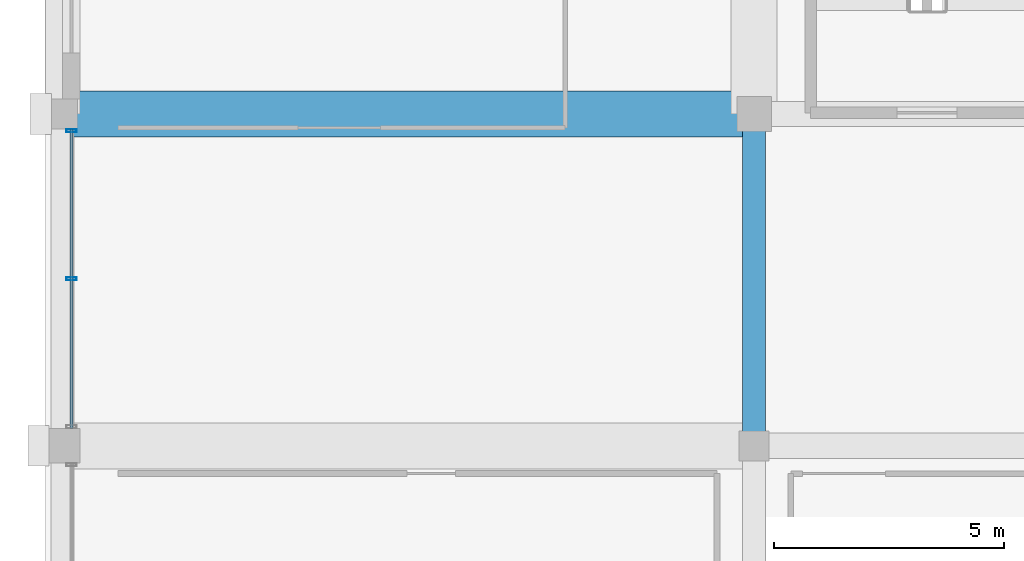
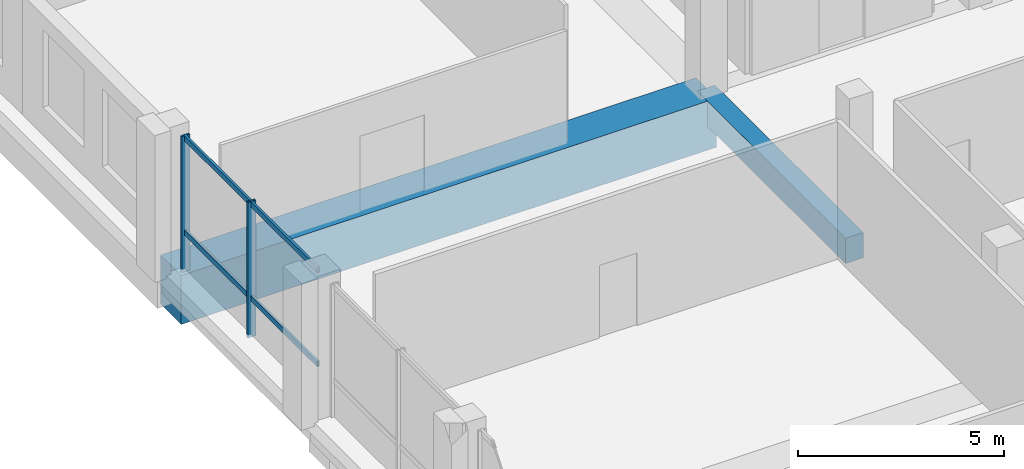
# One storey, part 26 of 64: 4 members, 2 beams, 1 element without a shape of its own.
"""IFC4 building model written with IfcOpenShell, lengths in metres."""

from ifc_helpers import new_model, si_unit, direction, frame, origin, origin_2d, place, context, subcontext, project, spatial, rectangle, hollow_rectangle, extrude, material, material_profile, profile_set, type_object, element, aggregate, save


model = new_model("IFC4")

# Units and contexts
model_context = context("Model", 3, precision=1e-05, world=origin(), true_north=direction((0.0, 1.0)))
body_context = subcontext(model_context, "Body", "Model", "MODEL_VIEW")
ifc_project = project(units=[si_unit("LENGTHUNIT", "METRE"), si_unit("AREAUNIT", "SQUARE_METRE"), si_unit("VOLUMEUNIT", "CUBIC_METRE"), si_unit("PLANEANGLEUNIT", "RADIAN"), si_unit("MASSUNIT", "GRAM", prefix="KILO")], contexts=[model_context])

# Site, building, storey
site_placement = place(None, origin())
site = spatial("IfcSite", under=ifc_project, at=site_placement, CompositionType="ELEMENT")
building_placement = place(site_placement, origin())
building = spatial("IfcBuilding", under=site, at=building_placement, Name="Akrevak Sports Hall", CompositionType="ELEMENT")
storey_placement = place(building_placement, frame((0.0, 0.0, 4.60009765625)))
storey = spatial("IfcBuildingStorey", under=building, at=storey_placement, Name="L01", CompositionType="ELEMENT", Elevation=4.60009765625)

# Curtain wall, members
ifc_material_1 = material(Name="Anodized Bronze Aluminium & Low-E Glass", Category="aluminium")
curtain_wall_type = type_object("IfcCurtainWallType", Name="ARC-CW-POD-64x44", PredefinedType="NOTDEFINED", material=ifc_material_1)
curtain_wall_placement = place(storey_placement, origin())
curtain_wall = element("IfcCurtainWall", 1, at=curtain_wall_placement, inside=storey, type_object=curtain_wall_type, Name="Curtain Wall CW-L01-W08", PredefinedType="NOTDEFINED")
ifc_material_2 = material(Name="Anodized Bronze Aluminium", Category="aluminium")
ifc_material_profile_1 = material_profile(ifc_material_2, hollow_rectangle(XDim=0.06494140625, YDim=0.219970703125, WallThickness=0.00439453125, at=origin_2d()), Name="CWM 65x220", Category="aluminium")
ifc_profile_set_1 = profile_set([ifc_material_profile_1], Name="Anodized Bronze Aluminium")
member_type_1 = type_object("IfcMemberType", Name="ARC-CWM-70x160", PredefinedType="MULLION", material=ifc_profile_set_1)
member_1_placement = place(storey_placement, frame((0.18994140625, 69.235107421875, 0.0), z_axis=(0.0, 0.0, 1.0), x_axis=(0.0, -1.0, 0.0)))
member_1 = element("IfcMember", 2, at=member_1_placement, type_object=member_type_1, Name="Curtain Wall Mullion CW-L01-W08-M1", PredefinedType="MULLION", context=body_context, shape_type="SweptSolid", body=[
    extrude(hollow_rectangle(XDim=0.06494140625, YDim=0.219970703125, WallThickness=0.00439453125, at=origin_2d()), origin(), (0.0, 0.0, 1.0), 4.02001953125),
])
member_2_placement = place(storey_placement, frame((0.18994140625, 66.02490234375, 0.0), z_axis=(0.0, 0.0, 1.0), x_axis=(0.0, -1.0, 0.0)))
member_2 = element("IfcMember", 3, at=member_2_placement, type_object=member_type_1, Name="Curtain Wall Mullion CW-L01-W08-M2", PredefinedType="MULLION", context=body_context, shape_type="SweptSolid", body=[
    extrude(hollow_rectangle(XDim=0.06494140625, YDim=0.219970703125, WallThickness=0.00439453125, at=origin_2d()), origin(), (0.0, 0.0, 1.0), 4.02001953125),
])
ifc_material_profile_2 = material_profile(ifc_material_2, hollow_rectangle(XDim=0.06494140625, YDim=0.159912109375, WallThickness=0.00390625, at=origin_2d()), Name="CWT 65x160", Category="aluminium")
ifc_profile_set_2 = profile_set([ifc_material_profile_2], Name="Anodized Bronze Aluminium")
member_type_2 = type_object("IfcMemberType", Name="ARC-CWT-70x130", PredefinedType="USERDEFINED", material=ifc_profile_set_2)
member_3_placement = place(storey_placement, frame((0.18994140625, 69.27490234375, 1.14990234375), z_axis=(0.0, -1.0, 0.0), x_axis=(1.0, 0.0, 0.0)))
member_3 = element("IfcMember", 4, at=member_3_placement, type_object=member_type_2, Name="Curtain Wall Transom CW-L01-W08-T1", ObjectType="TRANSOM", PredefinedType="USERDEFINED", context=body_context, shape_type="SweptSolid", body=[
    extrude(hollow_rectangle(XDim=0.06494140625, YDim=0.159912109375, WallThickness=0.00390625, at=origin_2d()), origin(), (0.0, 0.0, 1.0), 6.5),
])
member_4_placement = place(storey_placement, frame((0.18994140625, 69.27490234375, 3.93994140625), z_axis=(0.0, -1.0, 0.0), x_axis=(1.0, 0.0, 0.0)))
member_4 = element("IfcMember", 5, at=member_4_placement, type_object=member_type_2, Name="Curtain Wall Transom CW-L01-W08-T2", ObjectType="TRANSOM", PredefinedType="USERDEFINED", context=body_context, shape_type="SweptSolid", body=[
    extrude(hollow_rectangle(XDim=0.06494140625, YDim=0.159912109375, WallThickness=0.00390625, at=origin_2d()), origin(), (0.0, 0.0, 1.0), 6.5),
])
aggregate(curtain_wall, [member_1, member_2, member_3, member_4])

# Beams
ifc_material_3 = material(Name="Concrete C50/60", Category="concrete")
ifc_material_profile_3 = material_profile(ifc_material_3, rectangle(XDim=1.0, YDim=1.449951171875, at=origin_2d()), Name="BM 1000x1450", Category="concrete")
ifc_profile_set_3 = profile_set([ifc_material_profile_3], Name="Concrete C50/60")
beam_type_1 = type_object("IfcBeamType", Name="STR-BM-LG1000x1450", PredefinedType="BEAM", material=ifc_profile_set_3)
beam_1_placement = place(storey_placement, frame((0.0, 69.60009765625, -0.72509765625), z_axis=(1.0, 0.0, 0.0), x_axis=(0.0, 1.0, 0.0)))
element("IfcBeam", 6, at=beam_1_placement, inside=storey, type_object=beam_type_1, Name="Girder K/1-3 (L01)", PredefinedType="BEAM", context=body_context, shape_type="SweptSolid", body=[
    extrude(rectangle(XDim=1.0, YDim=1.449951171875, at=origin_2d()), origin(), (0.0, 0.0, 1.0), 15.0),
])
ifc_material_4 = material(Name="Concrete C40/50", Category="concrete")
ifc_material_profile_4 = material_profile(ifc_material_4, rectangle(XDim=0.5, YDim=0.75, at=origin_2d()), Name="BM 500x750", Category="concrete")
ifc_profile_set_4 = profile_set([ifc_material_profile_4], Name="Concrete C40/50")
beam_type_2 = type_object("IfcBeamType", Name="STR-BM-RC500x750", PredefinedType="BEAM", material=ifc_profile_set_4)
beam_2_placement = place(storey_placement, frame((15.0, 62.39990234375, -0.375), z_axis=(0.0, 1.0, 0.0), x_axis=(-1.0, 0.0, 0.0)))
element("IfcBeam", 7, at=beam_2_placement, inside=storey, type_object=beam_type_2, Name="Girder 3/J-K (L01)", PredefinedType="BEAM", context=body_context, shape_type="SweptSolid", body=[
    extrude(rectangle(XDim=0.5, YDim=0.75, at=origin_2d()), origin(), (0.0, 0.0, 1.0), 7.2001953125),
])

save(model, "model.ifc")
